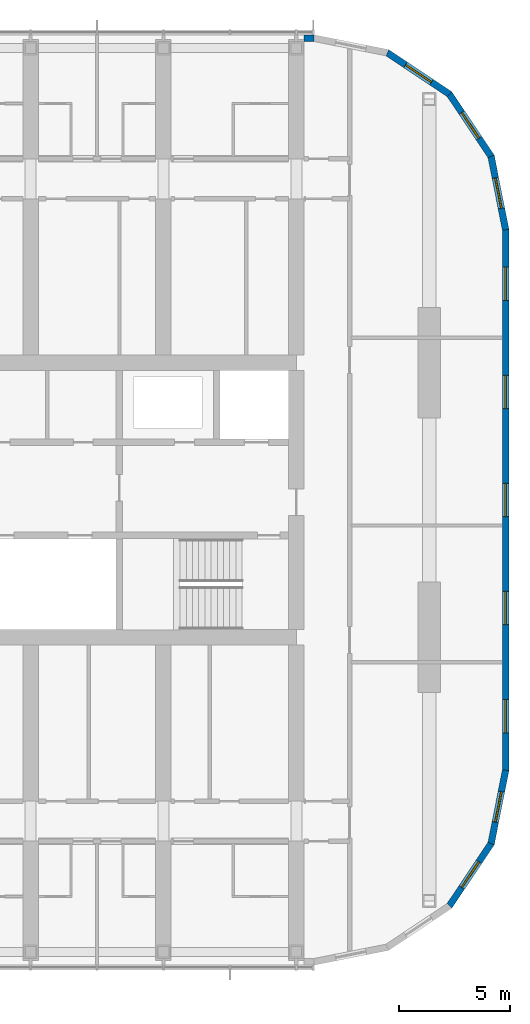
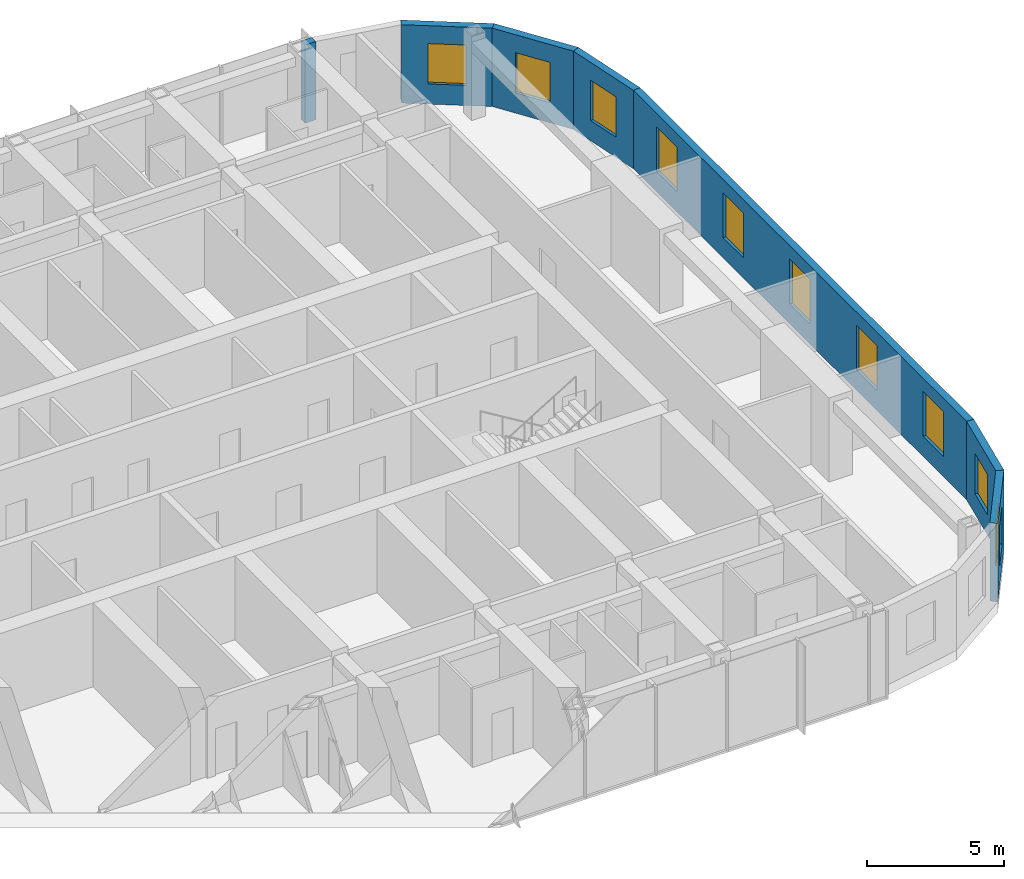
# One storey, part 21 of 28: 10 windows, 7 walls, 10 openings.
"""IFC4 building model written with IfcOpenShell, lengths in metres."""

from ifc_helpers import new_model, si_unit, direction, frame, frame_2d, origin, place, context, subcontext, project, spatial, polyline, rectangle, outline, extrude, material, layer, layer_set, type_object, element, fill, save


model = new_model("IFC4")

# Units and contexts
model_context = context("Model", 3, precision=1e-05, world=origin(), true_north=direction((0.0, 1.0)))
body_context = subcontext(model_context, "Body", "Model", "MODEL_VIEW")
ifc_project = project(units=[si_unit("LENGTHUNIT", "METRE"), si_unit("AREAUNIT", "SQUARE_METRE"), si_unit("VOLUMEUNIT", "CUBIC_METRE"), si_unit("PLANEANGLEUNIT", "RADIAN"), si_unit("MASSUNIT", "GRAM", prefix="KILO")], contexts=[model_context])

# Site, building, storey
site_placement = place(None, origin())
site = spatial("IfcSite", under=ifc_project, at=site_placement, CompositionType="ELEMENT")
building_placement = place(site_placement, origin())
building = spatial("IfcBuilding", under=site, at=building_placement, Name="Orbita Commons", CompositionType="ELEMENT")
storey_placement = place(building_placement, frame((0.0, 0.0, 216.550048828125)))
storey = spatial("IfcBuildingStorey", under=building, at=storey_placement, Name="L53", CompositionType="ELEMENT", Elevation=216.550048828125)

# Wall, openings, windows
ifc_material_1 = material(Name="Precast concrete C40/50, white board-marked finish", Category="concrete")
ifc_layer = layer(ifc_material_1, 0.300048828125)
ifc_layer_set = layer_set([ifc_layer], Name="Precast concrete C40/50, white board-marked finish")
wall_type = type_object("IfcWallType", Name="Precast concrete end shield 300", PredefinedType="SOLIDWALL", material=ifc_layer_set)
wall_1_placement = place(storey_placement, frame((75.449951171875, 19.800048828125, 0.0), z_axis=(0.0, 0.0, 1.0), x_axis=(0.0, 1.0, 0.0)))
wall_1 = element("IfcWall", 1, at=wall_1_placement, inside=storey, type_object=wall_type, Name="End shield E L53", PredefinedType="SOLIDWALL", context=body_context, shape_type="SweptSolid", body=[
    extrude(outline(polyline([(-0.014892578125, -0.14990234375), (24.414794921875, -0.14990234375), (24.385009765625, 0.14990234375), (0.014892578125, 0.14990234375), (-0.014892578125, -0.14990234375)])), origin(), (0.0, 0.0, 1.0), 3.5),
])
opening_1_placement = place(wall_1_placement, frame((1.68994140625, 0.0, 0.89990234375)))
opening_1 = element("IfcOpeningElement", 2, at=opening_1_placement, cuts=wall_1, Name="Opening W01", PredefinedType="OPENING", context=body_context, shape_type="SweptSolid", body=[
    extrude(rectangle(XDim=1.5, YDim=2.0, at=frame_2d((0.75, 1.0))), frame((0.0, 0.159912109375, 0.0), z_axis=(0.0, -1.0, 0.0), x_axis=(1.0, 0.0, 0.0)), (0.0, 0.0, 1.0), 0.320068359375),
])
opening_2_placement = place(wall_1_placement, frame((6.570068359375, 0.0, 0.89990234375)))
opening_2 = element("IfcOpeningElement", 3, at=opening_2_placement, cuts=wall_1, Name="Opening W01", PredefinedType="OPENING", context=body_context, shape_type="SweptSolid", body=[
    extrude(rectangle(XDim=1.5, YDim=2.0, at=frame_2d((0.75, 1.0))), frame((0.0, 0.159912109375, 0.0), z_axis=(0.0, -1.0, 0.0), x_axis=(1.0, 0.0, 0.0)), (0.0, 0.0, 1.0), 0.320068359375),
])
opening_3_placement = place(wall_1_placement, frame((11.449951171875, 0.0, 0.89990234375)))
opening_3 = element("IfcOpeningElement", 4, at=opening_3_placement, cuts=wall_1, Name="Opening W01", PredefinedType="OPENING", context=body_context, shape_type="SweptSolid", body=[
    extrude(rectangle(XDim=1.5, YDim=2.0, at=frame_2d((0.75, 1.0))), frame((0.0, 0.159912109375, 0.0), z_axis=(0.0, -1.0, 0.0), x_axis=(1.0, 0.0, 0.0)), (0.0, 0.0, 1.0), 0.320068359375),
])
opening_4_placement = place(wall_1_placement, frame((16.330078125, 0.0, 0.89990234375)))
opening_4 = element("IfcOpeningElement", 5, at=opening_4_placement, cuts=wall_1, Name="Opening W01", PredefinedType="OPENING", context=body_context, shape_type="SweptSolid", body=[
    extrude(rectangle(XDim=1.5, YDim=2.0, at=frame_2d((0.75, 1.0))), frame((0.0, 0.159912109375, 0.0), z_axis=(0.0, -1.0, 0.0), x_axis=(1.0, 0.0, 0.0)), (0.0, 0.0, 1.0), 0.320068359375),
])
opening_5_placement = place(wall_1_placement, frame((21.2099609375, 0.0, 0.89990234375)))
opening_5 = element("IfcOpeningElement", 6, at=opening_5_placement, cuts=wall_1, Name="Opening W01", PredefinedType="OPENING", context=body_context, shape_type="SweptSolid", body=[
    extrude(rectangle(XDim=1.5, YDim=2.0, at=frame_2d((0.75, 1.0))), frame((0.0, 0.159912109375, 0.0), z_axis=(0.0, -1.0, 0.0), x_axis=(1.0, 0.0, 0.0)), (0.0, 0.0, 1.0), 0.320068359375),
])
ifc_material_2 = material(Name="Aluminium frame, clear double glazing", Category="aluminium")
window_type_1 = type_object("IfcWindowType", Name="Deep-set window 1500x2000", PartitioningType="SINGLE_PANEL", PredefinedType="WINDOW", material=ifc_material_2)
window_1_placement = place(opening_1_placement, origin())
window_1 = element("IfcWindow", 7, at=window_1_placement, inside=storey, type_object=window_type_1, Name="Window L53-E 1", OverallHeight=2.0, OverallWidth=1.5, PartitioningType="SINGLE_PANEL", PredefinedType="WINDOW", context=body_context, shape_type="SweptSolid", body=[
    extrude(rectangle(XDim=1.5, YDim=2.0, at=frame_2d((0.75, 1.0))), frame((0.0, 0.030029296875, 0.0), z_axis=(0.0, -1.0, 0.0), x_axis=(1.0, 0.0, 0.0)), (0.0, 0.0, 1.0), 0.06005859375),
])
fill(opening_1, window_1)
window_2_placement = place(opening_2_placement, origin())
window_2 = element("IfcWindow", 8, at=window_2_placement, inside=storey, type_object=window_type_1, Name="Window L53-E 2", OverallHeight=2.0, OverallWidth=1.5, PartitioningType="SINGLE_PANEL", PredefinedType="WINDOW", context=body_context, shape_type="SweptSolid", body=[
    extrude(rectangle(XDim=1.5, YDim=2.0, at=frame_2d((0.75, 1.0))), frame((0.0, 0.030029296875, 0.0), z_axis=(0.0, -1.0, 0.0), x_axis=(1.0, 0.0, 0.0)), (0.0, 0.0, 1.0), 0.06005859375),
])
fill(opening_2, window_2)
window_3_placement = place(opening_3_placement, origin())
window_3 = element("IfcWindow", 9, at=window_3_placement, inside=storey, type_object=window_type_1, Name="Window L53-E 3", OverallHeight=2.0, OverallWidth=1.5, PartitioningType="SINGLE_PANEL", PredefinedType="WINDOW", context=body_context, shape_type="SweptSolid", body=[
    extrude(rectangle(XDim=1.5, YDim=2.0, at=frame_2d((0.75, 1.0))), frame((0.0, 0.030029296875, 0.0), z_axis=(0.0, -1.0, 0.0), x_axis=(1.0, 0.0, 0.0)), (0.0, 0.0, 1.0), 0.06005859375),
])
fill(opening_3, window_3)
window_4_placement = place(opening_4_placement, origin())
window_4 = element("IfcWindow", 10, at=window_4_placement, inside=storey, type_object=window_type_1, Name="Window L53-E 4", OverallHeight=2.0, OverallWidth=1.5, PartitioningType="SINGLE_PANEL", PredefinedType="WINDOW", context=body_context, shape_type="SweptSolid", body=[
    extrude(rectangle(XDim=1.5, YDim=2.0, at=frame_2d((0.75, 1.0))), frame((0.0, 0.030029296875, 0.0), z_axis=(0.0, -1.0, 0.0), x_axis=(1.0, 0.0, 0.0)), (0.0, 0.0, 1.0), 0.06005859375),
])
fill(opening_4, window_4)
window_5_placement = place(opening_5_placement, origin())
window_5 = element("IfcWindow", 11, at=window_5_placement, inside=storey, type_object=window_type_1, Name="Window L53-E 5", OverallHeight=2.0, OverallWidth=1.5, PartitioningType="SINGLE_PANEL", PredefinedType="WINDOW", context=body_context, shape_type="SweptSolid", body=[
    extrude(rectangle(XDim=1.5, YDim=2.0, at=frame_2d((0.75, 1.0))), frame((0.0, 0.030029296875, 0.0), z_axis=(0.0, -1.0, 0.0), x_axis=(1.0, 0.0, 0.0)), (0.0, 0.0, 1.0), 0.06005859375),
])
fill(opening_5, window_5)

# Wall, opening, window
wall_2_placement = place(storey_placement, frame((72.91650390625, 13.68359375, 0.0), z_axis=(0.0, 0.0, 1.0), x_axis=(0.555567969291, 0.831471124873, 0.0)))
wall_2 = element("IfcWall", 12, at=wall_2_placement, inside=storey, type_object=wall_type, Name="End shield SE chord 3 L53", PredefinedType="SOLIDWALL", context=body_context, shape_type="SweptSolid", body=[
    extrude(outline(polyline([(-0.02978515625, -0.14990234375), (3.40478515625, -0.14990234375), (3.34521484375, 0.14990234375), (0.02978515625, 0.14990234375), (-0.02978515625, -0.14990234375)])), origin(), (0.0, 0.0, 1.0), 3.5),
])
opening_6_placement = place(wall_2_placement, frame((0.987548828125, 0.0, 0.89990234375)))
opening_6 = element("IfcOpeningElement", 13, at=opening_6_placement, cuts=wall_2, Name="Opening W02", PredefinedType="OPENING", context=body_context, shape_type="SweptSolid", body=[
    extrude(rectangle(XDim=1.39990234375, YDim=1.800048828125, at=frame_2d((0.699951171875, 0.89990234375))), frame((0.0, 0.159912109375, 0.0), z_axis=(0.0, -1.0, 0.0), x_axis=(1.0, 0.0, 0.0)), (0.0, 0.0, 1.0), 0.320068359375),
])
ifc_material_3 = material(Name="Aluminium frame, clear double glazing", Category="aluminium")
window_type_2 = type_object("IfcWindowType", Name="Deep-set window 1400x1800", PartitioningType="SINGLE_PANEL", PredefinedType="WINDOW", material=ifc_material_3)
window_6_placement = place(opening_6_placement, origin())
window_6 = element("IfcWindow", 14, at=window_6_placement, inside=storey, type_object=window_type_2, Name="Window L53-SE2", OverallHeight=1.800048828125, OverallWidth=1.39990234375, PartitioningType="SINGLE_PANEL", PredefinedType="WINDOW", context=body_context, shape_type="SweptSolid", body=[
    extrude(rectangle(XDim=1.39990234375, YDim=1.800048828125, at=frame_2d((0.699951171875, 0.89990234375))), frame((0.0, 0.030029296875, 0.0), z_axis=(0.0, -1.0, 0.0), x_axis=(1.0, 0.0, 0.0)), (0.0, 0.0, 1.0), 0.06005859375),
])
fill(opening_6, window_6)

wall_3_placement = place(storey_placement, frame((74.79150390625, 16.48974609375, 0.0), z_axis=(0.0, 0.0, 1.0), x_axis=(0.19508664885, 0.980786011034, 0.0)))
wall_3 = element("IfcWall", 15, at=wall_3_placement, inside=storey, type_object=wall_type, Name="End shield SE chord 4 L53", PredefinedType="SOLIDWALL", context=body_context, shape_type="SweptSolid", body=[
    extrude(outline(polyline([(-0.02978515625, -0.14990234375), (3.39013671875, -0.14990234375), (3.3603515625, 0.14990234375), (0.02978515625, 0.14990234375), (-0.02978515625, -0.14990234375)])), origin(), (0.0, 0.0, 1.0), 3.5),
])
opening_7_placement = place(wall_3_placement, frame((0.987548828125, 0.0, 0.89990234375)))
opening_7 = element("IfcOpeningElement", 16, at=opening_7_placement, cuts=wall_3, Name="Opening W02", PredefinedType="OPENING", context=body_context, shape_type="SweptSolid", body=[
    extrude(rectangle(XDim=1.39990234375, YDim=1.800048828125, at=frame_2d((0.699951171875, 0.89990234375))), frame((0.0, 0.159912109375, 0.0), z_axis=(0.0, -1.0, 0.0), x_axis=(1.0, 0.0, 0.0)), (0.0, 0.0, 1.0), 0.320068359375),
])
window_7_placement = place(opening_7_placement, origin())
window_7 = element("IfcWindow", 17, at=window_7_placement, inside=storey, type_object=window_type_2, Name="Window L53-SE3", OverallHeight=1.800048828125, OverallWidth=1.39990234375, PartitioningType="SINGLE_PANEL", PredefinedType="WINDOW", context=body_context, shape_type="SweptSolid", body=[
    extrude(rectangle(XDim=1.39990234375, YDim=1.800048828125, at=frame_2d((0.699951171875, 0.89990234375))), frame((0.0, 0.030029296875, 0.0), z_axis=(0.0, -1.0, 0.0), x_axis=(1.0, 0.0, 0.0)), (0.0, 0.0, 1.0), 0.06005859375),
])
fill(opening_7, window_7)

wall_4_placement = place(storey_placement, frame((75.449951171875, 44.199951171875, 0.0), z_axis=(0.0, 0.0, 1.0), x_axis=(-0.19508664885, 0.980786011034, 0.0)))
wall_4 = element("IfcWall", 18, at=wall_4_placement, inside=storey, type_object=wall_type, Name="End shield NE chord 1 L53", PredefinedType="SOLIDWALL", context=body_context, shape_type="SweptSolid", body=[
    extrude(outline(polyline([(-0.014892578125, -0.14990234375), (3.405029296875, -0.14990234375), (3.345458984375, 0.14990234375), (0.014892578125, 0.14990234375), (-0.014892578125, -0.14990234375)])), origin(), (0.0, 0.0, 1.0), 3.5),
])
opening_8_placement = place(wall_4_placement, frame((0.987548828125, 0.0, 0.89990234375)))
opening_8 = element("IfcOpeningElement", 19, at=opening_8_placement, cuts=wall_4, Name="Opening W02", PredefinedType="OPENING", context=body_context, shape_type="SweptSolid", body=[
    extrude(rectangle(XDim=1.39990234375, YDim=1.800048828125, at=frame_2d((0.699951171875, 0.89990234375))), frame((0.0, 0.159912109375, 0.0), z_axis=(0.0, -1.0, 0.0), x_axis=(1.0, 0.0, 0.0)), (0.0, 0.0, 1.0), 0.320068359375),
])
window_8_placement = place(opening_8_placement, origin())
window_8 = element("IfcWindow", 20, at=window_8_placement, inside=storey, type_object=window_type_2, Name="Window L53-NE0", OverallHeight=1.800048828125, OverallWidth=1.39990234375, PartitioningType="SINGLE_PANEL", PredefinedType="WINDOW", context=body_context, shape_type="SweptSolid", body=[
    extrude(rectangle(XDim=1.39990234375, YDim=1.800048828125, at=frame_2d((0.699951171875, 0.89990234375))), frame((0.0, 0.030029296875, 0.0), z_axis=(0.0, -1.0, 0.0), x_axis=(1.0, 0.0, 0.0)), (0.0, 0.0, 1.0), 0.06005859375),
])
fill(opening_8, window_8)

wall_5_placement = place(storey_placement, frame((74.79150390625, 47.51025390625, 0.0), z_axis=(0.0, 0.0, 1.0), x_axis=(-0.555567969291, 0.831471124873, 0.0)))
wall_5 = element("IfcWall", 21, at=wall_5_placement, inside=storey, type_object=wall_type, Name="End shield NE chord 2 L53", PredefinedType="SOLIDWALL", context=body_context, shape_type="SweptSolid", body=[
    extrude(outline(polyline([(-0.02978515625, -0.14990234375), (3.40478515625, -0.14990234375), (3.34521484375, 0.14990234375), (0.02978515625, 0.14990234375), (-0.02978515625, -0.14990234375)])), origin(), (0.0, 0.0, 1.0), 3.5),
])
opening_9_placement = place(wall_5_placement, frame((0.987548828125, 0.0, 0.89990234375)))
opening_9 = element("IfcOpeningElement", 22, at=opening_9_placement, cuts=wall_5, Name="Opening W02", PredefinedType="OPENING", context=body_context, shape_type="SweptSolid", body=[
    extrude(rectangle(XDim=1.39990234375, YDim=1.800048828125, at=frame_2d((0.699951171875, 0.89990234375))), frame((0.0, 0.159912109375, 0.0), z_axis=(0.0, -1.0, 0.0), x_axis=(1.0, 0.0, 0.0)), (0.0, 0.0, 1.0), 0.320068359375),
])
window_9_placement = place(opening_9_placement, origin())
window_9 = element("IfcWindow", 23, at=window_9_placement, inside=storey, type_object=window_type_2, Name="Window L53-NE1", OverallHeight=1.800048828125, OverallWidth=1.39990234375, PartitioningType="SINGLE_PANEL", PredefinedType="WINDOW", context=body_context, shape_type="SweptSolid", body=[
    extrude(rectangle(XDim=1.39990234375, YDim=1.800048828125, at=frame_2d((0.699951171875, 0.89990234375))), frame((0.0, 0.030029296875, 0.0), z_axis=(0.0, -1.0, 0.0), x_axis=(1.0, 0.0, 0.0)), (0.0, 0.0, 1.0), 0.06005859375),
])
fill(opening_9, window_9)

wall_6_placement = place(storey_placement, frame((72.91650390625, 50.31640625, 0.0), z_axis=(0.0, 0.0, 1.0), x_axis=(-0.831460037396, 0.555584562613, 0.0)))
wall_6 = element("IfcWall", 24, at=wall_6_placement, inside=storey, type_object=wall_type, Name="End shield NE chord 3 L53", PredefinedType="SOLIDWALL", context=body_context, shape_type="SweptSolid", body=[
    extrude(outline(polyline([(-0.02978515625, -0.14990234375), (3.405029296875, -0.14990234375), (3.345458984375, 0.14990234375), (0.02978515625, 0.14990234375), (-0.02978515625, -0.14990234375)])), origin(), (0.0, 0.0, 1.0), 3.5),
])
opening_10_placement = place(wall_6_placement, frame((0.987548828125, 0.0, 0.89990234375)))
opening_10 = element("IfcOpeningElement", 25, at=opening_10_placement, cuts=wall_6, Name="Opening W02", PredefinedType="OPENING", context=body_context, shape_type="SweptSolid", body=[
    extrude(rectangle(XDim=1.39990234375, YDim=1.800048828125, at=frame_2d((0.699951171875, 0.89990234375))), frame((0.0, 0.159912109375, 0.0), z_axis=(0.0, -1.0, 0.0), x_axis=(1.0, 0.0, 0.0)), (0.0, 0.0, 1.0), 0.320068359375),
])
window_10_placement = place(opening_10_placement, origin())
window_10 = element("IfcWindow", 26, at=window_10_placement, inside=storey, type_object=window_type_2, Name="Window L53-NE2", OverallHeight=1.800048828125, OverallWidth=1.39990234375, PartitioningType="SINGLE_PANEL", PredefinedType="WINDOW", context=body_context, shape_type="SweptSolid", body=[
    extrude(rectangle(XDim=1.39990234375, YDim=1.800048828125, at=frame_2d((0.699951171875, 0.89990234375))), frame((0.0, 0.030029296875, 0.0), z_axis=(0.0, -1.0, 0.0), x_axis=(1.0, 0.0, 0.0)), (0.0, 0.0, 1.0), 0.06005859375),
])
fill(opening_10, window_10)

# Wall
wall_7_placement = place(storey_placement, frame((66.800048828125, 52.85009765625, 0.0), z_axis=(0.0, 0.0, 1.0), x_axis=(-1.0, 0.0, 0.0)))
element("IfcWall", 27, at=wall_7_placement, inside=storey, type_object=wall_type, Name="End shield NE closer L53", PredefinedType="SOLIDWALL", context=body_context, shape_type="SweptSolid", body=[
    extrude(rectangle(XDim=0.449951171875, YDim=0.300048828125, at=frame_2d((0.22509765625, 0.0))), origin(), (0.0, 0.0, 1.0), 3.5),
])

save(model, "model.ifc")
